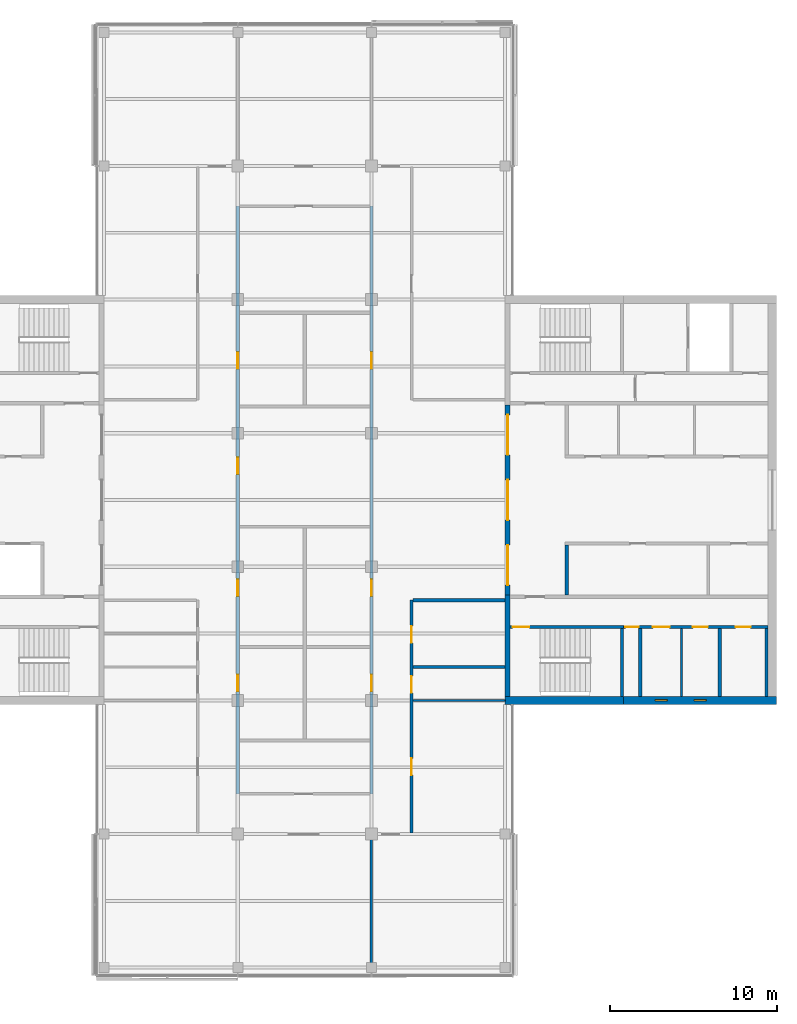
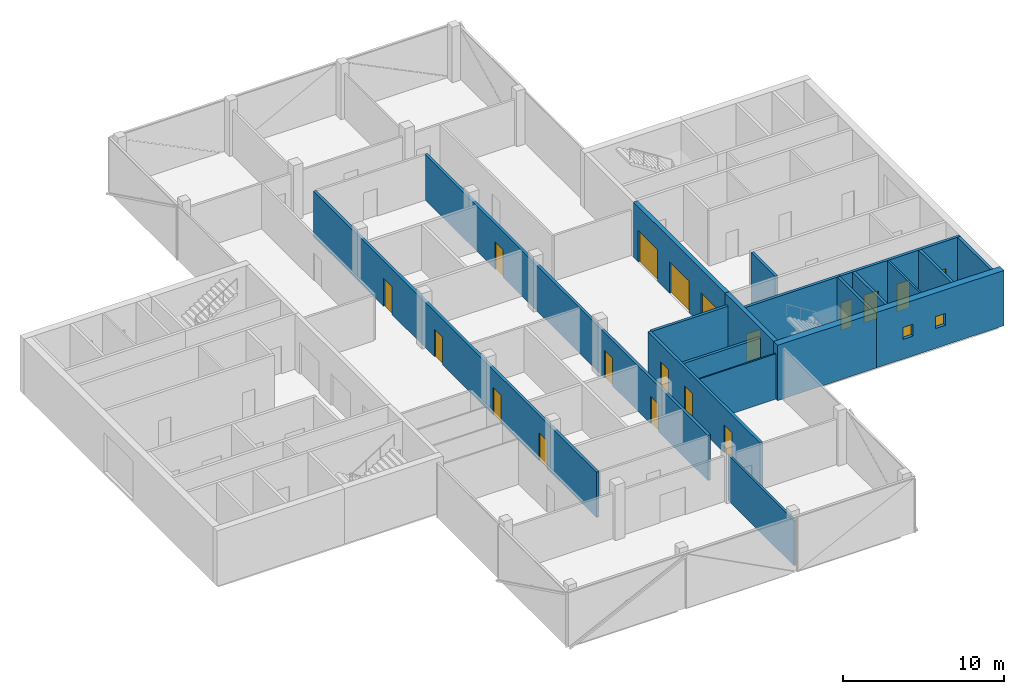
# One storey, part 10 of 16: 19 walls, 18 doors, 2 windows, 20 openings.
"""IFC4 building model written with IfcOpenShell, lengths in metres."""

from ifc_helpers import new_model, si_unit, direction, frame, frame_2d, origin, place, context, subcontext, project, spatial, rectangle, extrude, material, layer, layer_set, constituent, constituent_set, type_object, element, fill, save


model = new_model("IFC4")

# Units and contexts
model_context = context("Model", 3, precision=1e-05, world=origin(), true_north=direction((0.0, 1.0)))
body_context = subcontext(model_context, "Body", "Model", "MODEL_VIEW")
ifc_project = project(units=[si_unit("LENGTHUNIT", "METRE"), si_unit("AREAUNIT", "SQUARE_METRE"), si_unit("VOLUMEUNIT", "CUBIC_METRE"), si_unit("PLANEANGLEUNIT", "RADIAN"), si_unit("MASSUNIT", "GRAM", prefix="KILO")], contexts=[model_context])

# Site, building, storey
site_placement = place(None, origin())
site = spatial("IfcSite", under=ifc_project, at=site_placement, CompositionType="ELEMENT")
building_placement = place(site_placement, origin())
building = spatial("IfcBuilding", under=site, at=building_placement, Name="Crosswind Convention Tower", CompositionType="ELEMENT")
storey_placement = place(building_placement, frame((0.0, 0.0, 282.89990234375)))
storey = spatial("IfcBuildingStorey", under=building, at=storey_placement, Name="L61", CompositionType="ELEMENT", Elevation=282.89990234375)

# Wall
ifc_material_1 = material(Name="Concrete blockwork", Category="masonry")
ifc_layer_1 = layer(ifc_material_1, 0.199951171875)
ifc_layer_set_1 = layer_set([ifc_layer_1], Name="Blockwork partition wall 200")
wall_type_1 = type_object("IfcWallType", Name="Blockwork partition wall 200", PredefinedType="PARTITIONING", material=ifc_layer_set_1)
wall_1_placement = place(storey_placement, frame((145.10009765625, 88.25, 0.0), z_axis=(0.0, 0.0, 1.0), x_axis=(0.0, 1.0, 0.0)))
element("IfcWall", 1, at=wall_1_placement, inside=storey, type_object=wall_type_1, Name="Wall MRSE E L61", PredefinedType="PARTITIONING", context=body_context, shape_type="SweptSolid", body=[
    extrude(rectangle(XDim=4.050048828125, YDim=0.199951171875, at=frame_2d((2.02490234375, 0.0))), origin(), (0.0, 0.0, 1.0), 4.2001953125),
])

# Wall, openings, doors
ifc_layer_2 = layer(ifc_material_1, 0.199951171875)
ifc_layer_set_2 = layer_set([ifc_layer_2], Name="COMPARTMENT WALL 200 BLOCKWORK")
wall_type_2 = type_object("IfcWallType", Name="COMPARTMENT WALL 200 BLOCKWORK", PredefinedType="SOLIDWALL", material=ifc_layer_set_2)
wall_2_placement = place(storey_placement, frame((121.0, 82.39990234375, 0.0), z_axis=(0.0, 0.0, 1.0), x_axis=(0.0, 1.0, 0.0)))
wall_2 = element("IfcWall", 2, at=wall_2_placement, inside=storey, type_object=wall_type_2, Name="Compartment wall WT42", PredefinedType="SOLIDWALL", context=body_context, shape_type="SweptSolid", body=[
    extrude(rectangle(XDim=35.2001953125, YDim=0.199951171875, at=frame_2d((17.60009765625, 0.0))), origin(), (0.0, 0.0, 1.0), 3.44287109375),
])
opening_1_placement = place(wall_2_placement, frame((6.14990234375, 0.0, 0.0)))
opening_1 = element("IfcOpeningElement", 3, at=opening_1_placement, cuts=wall_2, Name="Opening L61-65", PredefinedType="OPENING", context=body_context, shape_type="SweptSolid", body=[
    extrude(rectangle(XDim=1.0, YDim=2.10009765625, at=frame_2d((0.5, 1.050048828125))), frame((0.0, 0.10986328125, 0.0), z_axis=(0.0, -1.0, 0.0), x_axis=(1.0, 0.0, 0.0)), (0.0, 0.0, 1.0), 0.219970703125),
])
opening_2_placement = place(wall_2_placement, frame((11.85009765625, 0.0, 0.0)))
opening_2 = element("IfcOpeningElement", 4, at=opening_2_placement, cuts=wall_2, Name="Opening L61-67", PredefinedType="OPENING", context=body_context, shape_type="SweptSolid", body=[
    extrude(rectangle(XDim=1.0, YDim=2.10009765625, at=frame_2d((0.5, 1.050048828125))), frame((0.0, 0.10986328125, 0.0), z_axis=(0.0, -1.0, 0.0), x_axis=(1.0, 0.0, 0.0)), (0.0, 0.0, 1.0), 0.219970703125),
])
opening_3_placement = place(wall_2_placement, frame((19.14990234375, 0.0, 0.0)))
opening_3 = element("IfcOpeningElement", 5, at=opening_3_placement, cuts=wall_2, Name="Opening L61-69", PredefinedType="OPENING", context=body_context, shape_type="SweptSolid", body=[
    extrude(rectangle(XDim=1.0, YDim=2.10009765625, at=frame_2d((0.5, 1.050048828125))), frame((0.0, 0.10986328125, 0.0), z_axis=(0.0, -1.0, 0.0), x_axis=(1.0, 0.0, 0.0)), (0.0, 0.0, 1.0), 0.219970703125),
])
opening_4_placement = place(wall_2_placement, frame((25.449951171875, 0.0, 0.0)))
opening_4 = element("IfcOpeningElement", 6, at=opening_4_placement, cuts=wall_2, Name="Opening L61-70", PredefinedType="OPENING", context=body_context, shape_type="SweptSolid", body=[
    extrude(rectangle(XDim=1.0, YDim=2.10009765625, at=frame_2d((0.5, 1.050048828125))), frame((0.0, 0.10986328125, 0.0), z_axis=(0.0, -1.0, 0.0), x_axis=(1.0, 0.0, 0.0)), (0.0, 0.0, 1.0), 0.219970703125),
])
ifc_material_2 = material(Name="Steel fire door", Category="steel")
door_type_1 = type_object("IfcDoorType", Name="PLANT ROOM DOOR 1000X2100 FD60", OperationType="NOTDEFINED", PredefinedType="DOOR", material=ifc_material_2)
door_1_placement = place(opening_4_placement, frame((1.0, 0.0, 0.0), z_axis=(0.0, 0.0, 1.0), x_axis=(-1.0, 0.0, 0.0)))
door_1 = element("IfcDoor", 7, at=door_1_placement, inside=storey, type_object=door_type_1, Name="Door L61-70", ObjectType="D43", OperationType="SINGLE_SWING_RIGHT", OverallHeight=2.10009765625, OverallWidth=1.0, PredefinedType="DOOR", context=body_context, shape_type="SweptSolid", body=[
    extrude(rectangle(XDim=1.0, YDim=2.10009765625, at=frame_2d((0.5, 1.050048828125))), frame((0.0, 0.02490234375, 0.0), z_axis=(0.0, -1.0, 0.0), x_axis=(1.0, 0.0, 0.0)), (0.0, 0.0, 1.0), 0.050048828125),
])
fill(opening_4, door_1)
ifc_material_3 = material(Name="Timber fire door", Category="wood")
door_type_2 = type_object("IfcDoorType", Name="TENANCY ENTRANCE DOOR 1000X2100 FD30S", OperationType="NOTDEFINED", PredefinedType="DOOR", material=ifc_material_3)
door_2_placement = place(opening_1_placement, frame((1.0, 0.0, 0.0), z_axis=(0.0, 0.0, 1.0), x_axis=(-1.0, 0.0, 0.0)))
door_2 = element("IfcDoor", 8, at=door_2_placement, inside=storey, type_object=door_type_2, Name="Door L61-65", ObjectType="D41", OperationType="SINGLE_SWING_RIGHT", OverallHeight=2.10009765625, OverallWidth=1.0, PredefinedType="DOOR", context=body_context, shape_type="SweptSolid", body=[
    extrude(rectangle(XDim=1.0, YDim=2.10009765625, at=frame_2d((0.5, 1.050048828125))), frame((0.0, 0.02490234375, 0.0), z_axis=(0.0, -1.0, 0.0), x_axis=(1.0, 0.0, 0.0)), (0.0, 0.0, 1.0), 0.050048828125),
])
fill(opening_1, door_2)
door_3_placement = place(opening_2_placement, frame((1.0, 0.0, 0.0), z_axis=(0.0, 0.0, 1.0), x_axis=(-1.0, 0.0, 0.0)))
door_3 = element("IfcDoor", 9, at=door_3_placement, inside=storey, type_object=door_type_2, Name="Door L61-67", ObjectType="D41", OperationType="SINGLE_SWING_LEFT", OverallHeight=2.10009765625, OverallWidth=1.0, PredefinedType="DOOR", context=body_context, shape_type="SweptSolid", body=[
    extrude(rectangle(XDim=1.0, YDim=2.10009765625, at=frame_2d((0.5, 1.050048828125))), frame((0.0, 0.02490234375, 0.0), z_axis=(0.0, -1.0, 0.0), x_axis=(1.0, 0.0, 0.0)), (0.0, 0.0, 1.0), 0.050048828125),
])
fill(opening_2, door_3)
door_4_placement = place(opening_3_placement, frame((1.0, 0.0, 0.0), z_axis=(0.0, 0.0, 1.0), x_axis=(-1.0, 0.0, 0.0)))
door_4 = element("IfcDoor", 10, at=door_4_placement, inside=storey, type_object=door_type_2, Name="Door L61-69", ObjectType="D41", OperationType="SINGLE_SWING_LEFT", OverallHeight=2.10009765625, OverallWidth=1.0, PredefinedType="DOOR", context=body_context, shape_type="SweptSolid", body=[
    extrude(rectangle(XDim=1.0, YDim=2.10009765625, at=frame_2d((0.5, 1.050048828125))), frame((0.0, 0.02490234375, 0.0), z_axis=(0.0, -1.0, 0.0), x_axis=(1.0, 0.0, 0.0)), (0.0, 0.0, 1.0), 0.050048828125),
])
fill(opening_3, door_4)

wall_3_placement = place(storey_placement, frame((129.0, 82.39990234375, 0.0), z_axis=(0.0, 0.0, 1.0), x_axis=(0.0, 1.0, 0.0)))
wall_3 = element("IfcWall", 11, at=wall_3_placement, inside=storey, type_object=wall_type_2, Name="Compartment wall WT42", PredefinedType="SOLIDWALL", context=body_context, shape_type="SweptSolid", body=[
    extrude(rectangle(XDim=35.2001953125, YDim=0.199951171875, at=frame_2d((17.60009765625, 0.0))), origin(), (0.0, 0.0, 1.0), 3.44287109375),
])
opening_5_placement = place(wall_3_placement, frame((6.14990234375, 0.0, 0.0)))
opening_5 = element("IfcOpeningElement", 12, at=opening_5_placement, cuts=wall_3, Name="Opening L61-66", PredefinedType="OPENING", context=body_context, shape_type="SweptSolid", body=[
    extrude(rectangle(XDim=1.0, YDim=2.10009765625, at=frame_2d((0.5, 1.050048828125))), frame((0.0, 0.10986328125, 0.0), z_axis=(0.0, -1.0, 0.0), x_axis=(1.0, 0.0, 0.0)), (0.0, 0.0, 1.0), 0.219970703125),
])
opening_6_placement = place(wall_3_placement, frame((11.85009765625, 0.0, 0.0)))
opening_6 = element("IfcOpeningElement", 13, at=opening_6_placement, cuts=wall_3, Name="Opening L61-68", PredefinedType="OPENING", context=body_context, shape_type="SweptSolid", body=[
    extrude(rectangle(XDim=1.0, YDim=2.10009765625, at=frame_2d((0.5, 1.050048828125))), frame((0.0, 0.10986328125, 0.0), z_axis=(0.0, -1.0, 0.0), x_axis=(1.0, 0.0, 0.0)), (0.0, 0.0, 1.0), 0.219970703125),
])
opening_7_placement = place(wall_3_placement, frame((25.449951171875, 0.0, 0.0)))
opening_7 = element("IfcOpeningElement", 14, at=opening_7_placement, cuts=wall_3, Name="Opening L61-71", PredefinedType="OPENING", context=body_context, shape_type="SweptSolid", body=[
    extrude(rectangle(XDim=1.0, YDim=2.10009765625, at=frame_2d((0.5, 1.050048828125))), frame((0.0, 0.10986328125, 0.0), z_axis=(0.0, -1.0, 0.0), x_axis=(1.0, 0.0, 0.0)), (0.0, 0.0, 1.0), 0.219970703125),
])
door_5_placement = place(opening_5_placement, origin())
door_5 = element("IfcDoor", 15, at=door_5_placement, inside=storey, type_object=door_type_1, Name="Door L61-66", ObjectType="D43", OperationType="SINGLE_SWING_LEFT", OverallHeight=2.10009765625, OverallWidth=1.0, PredefinedType="DOOR", context=body_context, shape_type="SweptSolid", body=[
    extrude(rectangle(XDim=1.0, YDim=2.10009765625, at=frame_2d((0.5, 1.050048828125))), frame((0.0, 0.02490234375, 0.0), z_axis=(0.0, -1.0, 0.0), x_axis=(1.0, 0.0, 0.0)), (0.0, 0.0, 1.0), 0.050048828125),
])
fill(opening_5, door_5)
door_6_placement = place(opening_6_placement, origin())
door_6 = element("IfcDoor", 16, at=door_6_placement, inside=storey, type_object=door_type_2, Name="Door L61-68", ObjectType="D41", OperationType="SINGLE_SWING_RIGHT", OverallHeight=2.10009765625, OverallWidth=1.0, PredefinedType="DOOR", context=body_context, shape_type="SweptSolid", body=[
    extrude(rectangle(XDim=1.0, YDim=2.10009765625, at=frame_2d((0.5, 1.050048828125))), frame((0.0, 0.02490234375, 0.0), z_axis=(0.0, -1.0, 0.0), x_axis=(1.0, 0.0, 0.0)), (0.0, 0.0, 1.0), 0.050048828125),
])
fill(opening_6, door_6)
door_7_placement = place(opening_7_placement, origin())
door_7 = element("IfcDoor", 17, at=door_7_placement, inside=storey, type_object=door_type_2, Name="Door L61-71", ObjectType="D41", OperationType="SINGLE_SWING_LEFT", OverallHeight=2.10009765625, OverallWidth=1.0, PredefinedType="DOOR", context=body_context, shape_type="SweptSolid", body=[
    extrude(rectangle(XDim=1.0, YDim=2.10009765625, at=frame_2d((0.5, 1.050048828125))), frame((0.0, 0.02490234375, 0.0), z_axis=(0.0, -1.0, 0.0), x_axis=(1.0, 0.0, 0.0)), (0.0, 0.0, 1.0), 0.050048828125),
])
fill(opening_7, door_7)

wall_4_placement = place(storey_placement, frame((131.39990234375, 80.074951171875, 0.0), z_axis=(0.0, 0.0, 1.0), x_axis=(0.0, 1.0, 0.0)))
wall_4 = element("IfcWall", 18, at=wall_4_placement, inside=storey, type_object=wall_type_2, Name="Compartment wall WT42", PredefinedType="SOLIDWALL", context=body_context, shape_type="SweptSolid", body=[
    extrude(rectangle(XDim=13.925048828125, YDim=0.199951171875, at=frame_2d((6.96240234375, 0.0))), origin(), (0.0, 0.0, 1.0), 3.44287109375),
])
opening_8_placement = place(wall_4_placement, frame((11.375, 0.0, 0.0)))
opening_8 = element("IfcOpeningElement", 19, at=opening_8_placement, cuts=wall_4, Name="Opening L61-51", PredefinedType="OPENING", context=body_context, shape_type="SweptSolid", body=[
    extrude(rectangle(XDim=1.0, YDim=2.10009765625, at=frame_2d((0.5, 1.050048828125))), frame((0.0, 0.10986328125, 0.0), z_axis=(0.0, -1.0, 0.0), x_axis=(1.0, 0.0, 0.0)), (0.0, 0.0, 1.0), 0.219970703125),
])
opening_9_placement = place(wall_4_placement, frame((8.375, 0.0, 0.0)))
opening_9 = element("IfcOpeningElement", 20, at=opening_9_placement, cuts=wall_4, Name="Opening L61-52", PredefinedType="OPENING", context=body_context, shape_type="SweptSolid", body=[
    extrude(rectangle(XDim=1.0, YDim=2.10009765625, at=frame_2d((0.5, 1.050048828125))), frame((0.0, 0.10986328125, 0.0), z_axis=(0.0, -1.0, 0.0), x_axis=(1.0, 0.0, 0.0)), (0.0, 0.0, 1.0), 0.219970703125),
])
opening_10_placement = place(wall_4_placement, frame((3.449951171875, 0.0, 0.0)))
opening_10 = element("IfcOpeningElement", 21, at=opening_10_placement, cuts=wall_4, Name="Opening L61-53", PredefinedType="OPENING", context=body_context, shape_type="SweptSolid", body=[
    extrude(rectangle(XDim=1.0, YDim=2.10009765625, at=frame_2d((0.5, 1.050048828125))), frame((0.0, 0.10986328125, 0.0), z_axis=(0.0, -1.0, 0.0), x_axis=(1.0, 0.0, 0.0)), (0.0, 0.0, 1.0), 0.219970703125),
])
door_8_placement = place(opening_8_placement, frame((1.0, 0.0, 0.0), z_axis=(0.0, 0.0, 1.0), x_axis=(-1.0, 0.0, 0.0)))
door_8 = element("IfcDoor", 22, at=door_8_placement, inside=storey, type_object=door_type_1, Name="Door L61-51", ObjectType="D43", OperationType="SINGLE_SWING_RIGHT", OverallHeight=2.10009765625, OverallWidth=1.0, PredefinedType="DOOR", context=body_context, shape_type="SweptSolid", body=[
    extrude(rectangle(XDim=1.0, YDim=2.10009765625, at=frame_2d((0.5, 1.050048828125))), frame((0.0, 0.02490234375, 0.0), z_axis=(0.0, -1.0, 0.0), x_axis=(1.0, 0.0, 0.0)), (0.0, 0.0, 1.0), 0.050048828125),
])
fill(opening_8, door_8)
door_9_placement = place(opening_9_placement, frame((1.0, 0.0, 0.0), z_axis=(0.0, 0.0, 1.0), x_axis=(-1.0, 0.0, 0.0)))
door_9 = element("IfcDoor", 23, at=door_9_placement, inside=storey, type_object=door_type_2, Name="Door L61-52", ObjectType="D41", OperationType="SINGLE_SWING_LEFT", OverallHeight=2.10009765625, OverallWidth=1.0, PredefinedType="DOOR", context=body_context, shape_type="SweptSolid", body=[
    extrude(rectangle(XDim=1.0, YDim=2.10009765625, at=frame_2d((0.5, 1.050048828125))), frame((0.0, 0.02490234375, 0.0), z_axis=(0.0, -1.0, 0.0), x_axis=(1.0, 0.0, 0.0)), (0.0, 0.0, 1.0), 0.050048828125),
])
fill(opening_9, door_9)
door_10_placement = place(opening_10_placement, frame((1.0, 0.0, 0.0), z_axis=(0.0, 0.0, 1.0), x_axis=(-1.0, 0.0, 0.0)))
door_10 = element("IfcDoor", 24, at=door_10_placement, inside=storey, type_object=door_type_2, Name="Door L61-53", ObjectType="D41", OperationType="SINGLE_SWING_LEFT", OverallHeight=2.10009765625, OverallWidth=1.0, PredefinedType="DOOR", context=body_context, shape_type="SweptSolid", body=[
    extrude(rectangle(XDim=1.0, YDim=2.10009765625, at=frame_2d((0.5, 1.050048828125))), frame((0.0, 0.02490234375, 0.0), z_axis=(0.0, -1.0, 0.0), x_axis=(1.0, 0.0, 0.0)), (0.0, 0.0, 1.0), 0.050048828125),
])
fill(opening_10, door_10)

# Walls
for number, where, z_axis, x_axis, name in (
    (25, (131.5, 90.0, 0.0), (0.0, 0.0, 1.0), (1.0, 0.0, 0.0), "Compartment wall WT42"),
    (26, (131.5, 94.0, 0.0), (0.0, 0.0, 1.0), (1.0, 0.0, 0.0), "Compartment wall WT42"),
):
    element("IfcWall", number, at=place(storey_placement, frame(where, z_axis=z_axis, x_axis=x_axis)), inside=storey, type_object=wall_type_2, Name=name, PredefinedType="SOLIDWALL", context=body_context, shape_type="SweptSolid", body=[
        extrude(rectangle(XDim=5.5, YDim=0.199951171875, at=frame_2d((2.75, 0.0))), origin(), (0.0, 0.0, 1.0), 3.44287109375),
    ])

# Wall, openings, doors
ifc_material_4 = material(Name="Concrete C50/60", Category="concrete")
ifc_layer_3 = layer(ifc_material_4, 0.300048828125)
ifc_layer_set_3 = layer_set([ifc_layer_3], Name="Concrete C50/60")
wall_type_3 = type_object("IfcWallType", Name="Concrete inner core wall 300", PredefinedType="SHEAR", material=ifc_layer_set_3)
wall_5_placement = place(storey_placement, frame((137.14990234375, 94.300048828125, 0.0), z_axis=(0.0, 0.0, 1.0), x_axis=(0.0, 1.0, 0.0)))
wall_5 = element("IfcWall", 27, at=wall_5_placement, inside=storey, type_object=wall_type_3, Name="Wall SCR E L61", PredefinedType="SHEAR", context=body_context, shape_type="SweptSolid", body=[
    extrude(rectangle(XDim=11.39990234375, YDim=0.300048828125, at=frame_2d((5.699951171875, 0.0))), origin(), (0.0, 0.0, 1.0), 4.2001953125),
])
opening_11_placement = place(wall_5_placement, frame((0.60009765625, 0.0, 0.0)))
opening_11 = element("IfcOpeningElement", 28, at=opening_11_placement, cuts=wall_5, Name="Opening D100", PredefinedType="OPENING", context=body_context, shape_type="SweptSolid", body=[
    extrude(rectangle(XDim=2.39990234375, YDim=2.39990234375, at=frame_2d((1.199951171875, 1.199951171875))), frame((0.0, 0.159912109375, 0.0), z_axis=(0.0, -1.0, 0.0), x_axis=(1.0, 0.0, 0.0)), (0.0, 0.0, 1.0), 0.320068359375),
])
opening_12_placement = place(wall_5_placement, frame((4.5, 0.0, 0.0)))
opening_12 = element("IfcOpeningElement", 29, at=opening_12_placement, cuts=wall_5, Name="Opening D100", PredefinedType="OPENING", context=body_context, shape_type="SweptSolid", body=[
    extrude(rectangle(XDim=2.39990234375, YDim=2.39990234375, at=frame_2d((1.199951171875, 1.199951171875))), frame((0.0, 0.159912109375, 0.0), z_axis=(0.0, -1.0, 0.0), x_axis=(1.0, 0.0, 0.0)), (0.0, 0.0, 1.0), 0.320068359375),
])
opening_13_placement = place(wall_5_placement, frame((8.39990234375, 0.0, 0.0)))
opening_13 = element("IfcOpeningElement", 30, at=opening_13_placement, cuts=wall_5, Name="Opening D100", PredefinedType="OPENING", context=body_context, shape_type="SweptSolid", body=[
    extrude(rectangle(XDim=2.39990234375, YDim=2.39990234375, at=frame_2d((1.199951171875, 1.199951171875))), frame((0.0, 0.159912109375, 0.0), z_axis=(0.0, -1.0, 0.0), x_axis=(1.0, 0.0, 0.0)), (0.0, 0.0, 1.0), 0.320068359375),
])
ifc_material_5 = material(Name="Steel fire door with glazed vision panels", Category="steel")
door_type_3 = type_object("IfcDoorType", Name="Fire-rated double door 2400x2400", OperationType="DOUBLE_DOOR_SINGLE_SWING", PredefinedType="DOOR", material=ifc_material_5)
door_11_placement = place(opening_11_placement, origin())
door_11 = element("IfcDoor", 31, at=door_11_placement, inside=storey, type_object=door_type_3, Name="Lobby door 1 L61", ObjectType="D100", OperationType="DOUBLE_DOOR_SINGLE_SWING", OverallHeight=2.39990234375, OverallWidth=2.39990234375, PredefinedType="DOOR", context=body_context, shape_type="SweptSolid", body=[
    extrude(rectangle(XDim=2.39990234375, YDim=2.39990234375, at=frame_2d((1.199951171875, 1.199951171875))), frame((0.0, 0.02490234375, 0.0), z_axis=(0.0, -1.0, 0.0), x_axis=(1.0, 0.0, 0.0)), (0.0, 0.0, 1.0), 0.050048828125),
])
fill(opening_11, door_11)
door_12_placement = place(opening_12_placement, origin())
door_12 = element("IfcDoor", 32, at=door_12_placement, inside=storey, type_object=door_type_3, Name="Lobby door 2 L61", ObjectType="D100", OperationType="DOUBLE_DOOR_SINGLE_SWING", OverallHeight=2.39990234375, OverallWidth=2.39990234375, PredefinedType="DOOR", context=body_context, shape_type="SweptSolid", body=[
    extrude(rectangle(XDim=2.39990234375, YDim=2.39990234375, at=frame_2d((1.199951171875, 1.199951171875))), frame((0.0, 0.02490234375, 0.0), z_axis=(0.0, -1.0, 0.0), x_axis=(1.0, 0.0, 0.0)), (0.0, 0.0, 1.0), 0.050048828125),
])
fill(opening_12, door_12)
door_13_placement = place(opening_13_placement, origin())
door_13 = element("IfcDoor", 33, at=door_13_placement, inside=storey, type_object=door_type_3, Name="Lobby door 3 L61", ObjectType="D100", OperationType="DOUBLE_DOOR_SINGLE_SWING", OverallHeight=2.39990234375, OverallWidth=2.39990234375, PredefinedType="DOOR", context=body_context, shape_type="SweptSolid", body=[
    extrude(rectangle(XDim=2.39990234375, YDim=2.39990234375, at=frame_2d((1.199951171875, 1.199951171875))), frame((0.0, 0.02490234375, 0.0), z_axis=(0.0, -1.0, 0.0), x_axis=(1.0, 0.0, 0.0)), (0.0, 0.0, 1.0), 0.050048828125),
])
fill(opening_13, door_13)

# Walls
wall_6_placement = place(storey_placement, frame((137.14990234375, 88.25, 0.0), z_axis=(0.0, 0.0, 1.0), x_axis=(0.0, 1.0, 0.0)))
element("IfcWall", 34, at=wall_6_placement, inside=storey, type_object=wall_type_3, Name="Wall EM E L61", PredefinedType="SHEAR", context=body_context, shape_type="SweptSolid", body=[
    extrude(rectangle(XDim=6.050048828125, YDim=0.300048828125, at=frame_2d((3.02490234375, 0.0))), origin(), (0.0, 0.0, 1.0), 4.2001953125),
])
ifc_layer_4 = layer(ifc_material_4, 0.199951171875)
ifc_layer_set_4 = layer_set([ifc_layer_4], Name="Concrete C50/60")
wall_type_4 = type_object("IfcWallType", Name="Concrete shaft and stair wall 200", PredefinedType="SHEAR", material=ifc_layer_set_4)
wall_7_placement = place(storey_placement, frame((140.699951171875, 94.300048828125, 0.0), z_axis=(0.0, 0.0, 1.0), x_axis=(0.0, 1.0, 0.0)))
element("IfcWall", 35, at=wall_7_placement, inside=storey, type_object=wall_type_4, Name="Wall RMEND E L61", PredefinedType="SHEAR", context=body_context, shape_type="SweptSolid", body=[
    extrude(rectangle(XDim=3.0, YDim=0.199951171875, at=frame_2d((1.5, 0.0))), origin(), (0.0, 0.0, 1.0), 4.2001953125),
])
for number, where, z_axis, x_axis, name in (
    (36, (144.0, 88.25, 0.0), (0.0, 0.0, 1.0), (0.0, 1.0, 0.0), "Wall MSE E L61"),
    (37, (149.85009765625, 88.25, 0.0), (0.0, 0.0, 1.0), (0.0, 1.0, 0.0), "Wall MFSW E L61"),
    (38, (152.64990234375, 88.25, 0.0), (0.0, 0.0, 1.0), (0.0, 1.0, 0.0), "Wall MFSE E L61"),
):
    element("IfcWall", number, at=place(storey_placement, frame(where, z_axis=z_axis, x_axis=x_axis)), inside=storey, type_object=wall_type_4, Name=name, PredefinedType="SHEAR", context=body_context, shape_type="SweptSolid", body=[
        extrude(rectangle(XDim=4.050048828125, YDim=0.199951171875, at=frame_2d((2.02490234375, 0.0))), origin(), (0.0, 0.0, 1.0), 4.2001953125),
    ])

# Wall, opening, door
wall_8_placement = place(storey_placement, frame((137.300048828125, 92.39990234375, 0.0), z_axis=(0.0, 0.0, 1.0), x_axis=(1.0, 0.0, 0.0)))
wall_8 = element("IfcWall", 39, at=wall_8_placement, inside=storey, type_object=wall_type_4, Name="Wall MCW E L61", PredefinedType="SHEAR", context=body_context, shape_type="SweptSolid", body=[
    extrude(rectangle(XDim=6.800048828125, YDim=0.199951171875, at=frame_2d((3.39990234375, 0.0))), origin(), (0.0, 0.0, 1.0), 4.2001953125),
])
opening_14_placement = place(wall_8_placement, frame((0.14990234375, 0.0, 0.0)))
opening_14 = element("IfcOpeningElement", 40, at=opening_14_placement, cuts=wall_8, Name="Opening D103", PredefinedType="OPENING", context=body_context, shape_type="SweptSolid", body=[
    extrude(rectangle(XDim=1.0, YDim=2.10009765625, at=frame_2d((0.5, 1.050048828125))), frame((0.0, 0.10986328125, 0.0), z_axis=(0.0, -1.0, 0.0), x_axis=(1.0, 0.0, 0.0)), (0.0, 0.0, 1.0), 0.219970703125),
])
door_type_4 = type_object("IfcDoorType", Name="Fire-rated single door 1000x2100", OperationType="NOTDEFINED", PredefinedType="DOOR", material=ifc_material_2)
door_14_placement = place(opening_14_placement, frame((1.0, 0.0, 0.0), z_axis=(0.0, 0.0, 1.0), x_axis=(-1.0, 0.0, 0.0)))
door_14 = element("IfcDoor", 41, at=door_14_placement, inside=storey, type_object=door_type_4, Name="Stair ST2 door L61", ObjectType="D103", OperationType="SINGLE_SWING_RIGHT", OverallHeight=2.10009765625, OverallWidth=1.0, PredefinedType="DOOR", context=body_context, shape_type="SweptSolid", body=[
    extrude(rectangle(XDim=1.0, YDim=2.10009765625, at=frame_2d((0.5, 1.050048828125))), frame((0.0, 0.02490234375, 0.0), z_axis=(0.0, -1.0, 0.0), x_axis=(1.0, 0.0, 0.0)), (0.0, 0.0, 1.0), 0.050048828125),
])
fill(opening_14, door_14)

# Wall, openings, doors
wall_9_placement = place(storey_placement, frame((144.10009765625, 92.39990234375, 0.0), z_axis=(0.0, 0.0, 1.0), x_axis=(1.0, 0.0, 0.0)))
wall_9 = element("IfcWall", 42, at=wall_9_placement, inside=storey, type_object=wall_type_4, Name="Wall MCX E L61", PredefinedType="SHEAR", context=body_context, shape_type="SweptSolid", body=[
    extrude(rectangle(XDim=8.64990234375, YDim=0.199951171875, at=frame_2d((4.324951171875, 0.0))), origin(), (0.0, 0.0, 1.0), 4.2001953125),
])
opening_15_placement = place(wall_9_placement, frame((0.10009765625, 0.0, 0.0)))
opening_15 = element("IfcOpeningElement", 43, at=opening_15_placement, cuts=wall_9, Name="Opening D105", PredefinedType="OPENING", context=body_context, shape_type="SweptSolid", body=[
    extrude(rectangle(XDim=0.800048828125, YDim=2.10009765625, at=frame_2d((0.39990234375, 1.050048828125))), frame((0.0, 0.10986328125, 0.0), z_axis=(0.0, -1.0, 0.0), x_axis=(1.0, 0.0, 0.0)), (0.0, 0.0, 1.0), 0.219970703125),
])
opening_16_placement = place(wall_9_placement, frame((1.751708984375, 0.0, 0.0)))
opening_16 = element("IfcOpeningElement", 44, at=opening_16_placement, cuts=wall_9, Name="Opening D103", PredefinedType="OPENING", context=body_context, shape_type="SweptSolid", body=[
    extrude(rectangle(XDim=1.0, YDim=2.10009765625, at=frame_2d((0.5, 1.050048828125))), frame((0.0, 0.10986328125, 0.0), z_axis=(0.0, -1.0, 0.0), x_axis=(1.0, 0.0, 0.0)), (0.0, 0.0, 1.0), 0.219970703125),
])
opening_17_placement = place(wall_9_placement, frame((4.13916015625, 0.0, 0.0)))
opening_17 = element("IfcOpeningElement", 45, at=opening_17_placement, cuts=wall_9, Name="Opening D106", PredefinedType="OPENING", context=body_context, shape_type="SweptSolid", body=[
    extrude(rectangle(XDim=0.89990234375, YDim=2.10009765625, at=frame_2d((0.449951171875, 1.050048828125))), frame((0.0, 0.10986328125, 0.0), z_axis=(0.0, -1.0, 0.0), x_axis=(1.0, 0.0, 0.0)), (0.0, 0.0, 1.0), 0.219970703125),
])
opening_18_placement = place(wall_9_placement, frame((6.699951171875, 0.0, 0.0)))
opening_18 = element("IfcOpeningElement", 46, at=opening_18_placement, cuts=wall_9, Name="Opening D106", PredefinedType="OPENING", context=body_context, shape_type="SweptSolid", body=[
    extrude(rectangle(XDim=0.89990234375, YDim=2.10009765625, at=frame_2d((0.449951171875, 1.050048828125))), frame((0.0, 0.10986328125, 0.0), z_axis=(0.0, -1.0, 0.0), x_axis=(1.0, 0.0, 0.0)), (0.0, 0.0, 1.0), 0.219970703125),
])
door_15_placement = place(opening_16_placement, frame((1.0, 0.0, 0.0), z_axis=(0.0, 0.0, 1.0), x_axis=(-1.0, 0.0, 0.0)))
door_15 = element("IfcDoor", 47, at=door_15_placement, inside=storey, type_object=door_type_4, Name="Door to accessible wc L61", ObjectType="D103", OperationType="SINGLE_SWING_LEFT", OverallHeight=2.10009765625, OverallWidth=1.0, PredefinedType="DOOR", context=body_context, shape_type="SweptSolid", body=[
    extrude(rectangle(XDim=1.0, YDim=2.10009765625, at=frame_2d((0.5, 1.050048828125))), frame((0.0, 0.02490234375, 0.0), z_axis=(0.0, -1.0, 0.0), x_axis=(1.0, 0.0, 0.0)), (0.0, 0.0, 1.0), 0.050048828125),
])
fill(opening_16, door_15)
door_type_5 = type_object("IfcDoorType", Name="Riser access door 800x2100", OperationType="NOTDEFINED", PredefinedType="DOOR", material=ifc_material_2)
door_16_placement = place(opening_15_placement, frame((0.800048828125, 0.0, 0.0), z_axis=(0.0, 0.0, 1.0), x_axis=(-1.0, 0.0, 0.0)))
door_16 = element("IfcDoor", 48, at=door_16_placement, inside=storey, type_object=door_type_5, Name="Riser door L61", ObjectType="D105", OperationType="SINGLE_SWING_LEFT", OverallHeight=2.10009765625, OverallWidth=0.800048828125, PredefinedType="DOOR", context=body_context, shape_type="SweptSolid", body=[
    extrude(rectangle(XDim=0.800048828125, YDim=2.10009765625, at=frame_2d((0.39990234375, 1.050048828125))), frame((0.0, 0.02490234375, 0.0), z_axis=(0.0, -1.0, 0.0), x_axis=(1.0, 0.0, 0.0)), (0.0, 0.0, 1.0), 0.050048828125),
])
fill(opening_15, door_16)
ifc_material_6 = material(Name="Timber door", Category="wood")
door_type_6 = type_object("IfcDoorType", Name="Single leaf door 900x2100", OperationType="NOTDEFINED", PredefinedType="DOOR", material=ifc_material_6)
door_17_placement = place(opening_17_placement, frame((0.89990234375, 0.0, 0.0), z_axis=(0.0, 0.0, 1.0), x_axis=(-1.0, 0.0, 0.0)))
door_17 = element("IfcDoor", 49, at=door_17_placement, inside=storey, type_object=door_type_6, Name="Door to wc L61", ObjectType="D106", OperationType="SINGLE_SWING_LEFT", OverallHeight=2.10009765625, OverallWidth=0.89990234375, PredefinedType="DOOR", context=body_context, shape_type="SweptSolid", body=[
    extrude(rectangle(XDim=0.89990234375, YDim=2.10009765625, at=frame_2d((0.449951171875, 1.050048828125))), frame((0.0, 0.02490234375, 0.0), z_axis=(0.0, -1.0, 0.0), x_axis=(1.0, 0.0, 0.0)), (0.0, 0.0, 1.0), 0.050048828125),
])
fill(opening_17, door_17)
door_18_placement = place(opening_18_placement, frame((0.89990234375, 0.0, 0.0), z_axis=(0.0, 0.0, 1.0), x_axis=(-1.0, 0.0, 0.0)))
door_18 = element("IfcDoor", 50, at=door_18_placement, inside=storey, type_object=door_type_6, Name="Door to wc L61", ObjectType="D106", OperationType="SINGLE_SWING_LEFT", OverallHeight=2.10009765625, OverallWidth=0.89990234375, PredefinedType="DOOR", context=body_context, shape_type="SweptSolid", body=[
    extrude(rectangle(XDim=0.89990234375, YDim=2.10009765625, at=frame_2d((0.449951171875, 1.050048828125))), frame((0.0, 0.02490234375, 0.0), z_axis=(0.0, -1.0, 0.0), x_axis=(1.0, 0.0, 0.0)), (0.0, 0.0, 1.0), 0.050048828125),
])
fill(opening_18, door_18)

# Walls
ifc_material_7 = material(Name="Gypsum plasterboard partition", Category="gypsum")
ifc_layer_5 = layer(ifc_material_7, 0.125)
ifc_layer_set_5 = layer_set([ifc_layer_5], Name="Drywall partition wall 125")
wall_type_5 = type_object("IfcWallType", Name="Drywall partition wall 125", PredefinedType="PARTITIONING", material=ifc_layer_set_5)
wall_10_placement = place(storey_placement, frame((147.56591796875, 88.25, 0.0), z_axis=(0.0, 0.0, 1.0), x_axis=(0.0, 1.0, 0.0)))
element("IfcWall", 51, at=wall_10_placement, inside=storey, type_object=wall_type_5, Name="Wall MWP1 E L61", PredefinedType="PARTITIONING", context=body_context, shape_type="SweptSolid", body=[
    extrude(rectangle(XDim=4.050048828125, YDim=0.125, at=frame_2d((2.02490234375, 0.0))), origin(), (0.0, 0.0, 1.0), 4.2001953125),
])
ifc_material_8 = material(Name="Plasterboard partition", Category="gypsum")
ifc_layer_6 = layer(ifc_material_8, 0.10009765625)
ifc_layer_set_6 = layer_set([ifc_layer_6], Name="PARTITION 100 METAL STUD")
wall_type_6 = type_object("IfcWallType", Name="PARTITION 100 METAL STUD", PredefinedType="PARTITIONING", material=ifc_layer_set_6)
wall_11_placement = place(storey_placement, frame((131.5, 88.0, 0.0), z_axis=(0.0, 0.0, 1.0), x_axis=(1.0, 0.0, 0.0)))
element("IfcWall", 52, at=wall_11_placement, inside=storey, type_object=wall_type_6, Name="Partition wall WT40", PredefinedType="PARTITIONING", context=body_context, shape_type="SweptSolid", body=[
    extrude(rectangle(XDim=5.5, YDim=0.10009765625, at=frame_2d((2.75, 0.0))), origin(), (0.0, 0.0, 1.0), 3.44287109375),
])
ifc_material_9 = material(Name="Fire-board partition with mineral wool", Category="gypsum")
ifc_layer_7 = layer(ifc_material_9, 0.14990234375)
ifc_layer_set_7 = layer_set([ifc_layer_7], Name="TENANCY WALL 150 TWO-HOUR BOARD")
wall_type_7 = type_object("IfcWallType", Name="TENANCY WALL 150 TWO-HOUR BOARD", PredefinedType="PARTITIONING", material=ifc_layer_set_7)
wall_12_placement = place(storey_placement, frame((129.0, 71.72998046875, 0.0), z_axis=(0.0, 0.0, 1.0), x_axis=(0.0, 1.0, 0.0)))
element("IfcWall", 53, at=wall_12_placement, inside=storey, type_object=wall_type_7, Name="Tenancy wall WT41", PredefinedType="PARTITIONING", context=body_context, shape_type="SweptSolid", body=[
    extrude(rectangle(XDim=8.195068359375, YDim=0.14990234375, at=frame_2d((4.09765625, 0.0))), origin(), (0.0, 0.0, 1.0), 3.44287109375),
])
ifc_material_10 = material(Name="Concrete C60/75", Category="concrete")
ifc_constituent_1 = constituent(ifc_material_10, Name="Structure")
ifc_material_11 = material(Name="Terracotta rainscreen", Category="ceramic")
ifc_constituent_2 = constituent(ifc_material_11, Name="Facing")
ifc_constituent_set = constituent_set(constituents=[ifc_constituent_1, ifc_constituent_2], Name="Concrete C60/75, Terracotta rainscreen")
wall_type_8 = type_object("IfcWallType", Name="Terracotta rainscreen on concrete core wall 500", PredefinedType="SHEAR", material=ifc_constituent_set)
wall_13_placement = place(storey_placement, frame((137.0, 88.0, 0.0), z_axis=(0.0, 0.0, 1.0), x_axis=(1.0, 0.0, 0.0)))
element("IfcWall", 54, at=wall_13_placement, inside=storey, type_object=wall_type_8, Name="Wall S1 E L61", PredefinedType="SHEAR", context=body_context, shape_type="SweptSolid", body=[
    extrude(rectangle(XDim=7.10009765625, YDim=0.5, at=frame_2d((3.550048828125, 0.0))), origin(), (0.0, 0.0, 1.0), 4.2001953125),
])

# Wall, openings, windows
wall_14_placement = place(storey_placement, frame((144.10009765625, 88.0, 0.0), z_axis=(0.0, 0.0, 1.0), x_axis=(1.0, 0.0, 0.0)))
wall_14 = element("IfcWall", 55, at=wall_14_placement, inside=storey, type_object=wall_type_8, Name="Wall S2 E L61", PredefinedType="SHEAR", context=body_context, shape_type="SweptSolid", body=[
    extrude(rectangle(XDim=9.14990234375, YDim=0.5, at=frame_2d((4.574951171875, 0.0))), origin(), (0.0, 0.0, 1.0), 4.2001953125),
])
opening_19_placement = place(wall_14_placement, frame((1.90185546875, 0.0, 1.5)))
opening_19 = element("IfcOpeningElement", 56, at=opening_19_placement, cuts=wall_14, Name="Opening W2", PredefinedType="OPENING", context=body_context, shape_type="SweptSolid", body=[
    extrude(rectangle(XDim=0.699951171875, YDim=0.89990234375, at=frame_2d((0.35009765625, 0.449951171875))), frame((0.0, 0.260009765625, 0.0), z_axis=(0.0, -1.0, 0.0), x_axis=(1.0, 0.0, 0.0)), (0.0, 0.0, 1.0), 0.52001953125),
])
opening_20_placement = place(wall_14_placement, frame((4.2392578125, 0.0, 1.5)))
opening_20 = element("IfcOpeningElement", 57, at=opening_20_placement, cuts=wall_14, Name="Opening W2", PredefinedType="OPENING", context=body_context, shape_type="SweptSolid", body=[
    extrude(rectangle(XDim=0.699951171875, YDim=0.89990234375, at=frame_2d((0.35009765625, 0.449951171875))), frame((0.0, 0.260009765625, 0.0), z_axis=(0.0, -1.0, 0.0), x_axis=(1.0, 0.0, 0.0)), (0.0, 0.0, 1.0), 0.52001953125),
])
ifc_material_12 = material(Name="Obscure glass in aluminium frame", Category="aluminium")
window_type = type_object("IfcWindowType", Name="WC window 700x900", PartitioningType="SINGLE_PANEL", PredefinedType="WINDOW", material=ifc_material_12)
window_1_placement = place(opening_19_placement, origin())
window_1 = element("IfcWindow", 58, at=window_1_placement, inside=storey, type_object=window_type, Name="WC window L61", ObjectType="W2", OverallHeight=0.89990234375, OverallWidth=0.699951171875, PartitioningType="SINGLE_PANEL", PredefinedType="WINDOW", context=body_context, shape_type="SweptSolid", body=[
    extrude(rectangle(XDim=0.699951171875, YDim=0.89990234375, at=frame_2d((0.35009765625, 0.449951171875))), frame((0.0, 0.030029296875, 0.0), z_axis=(0.0, -1.0, 0.0), x_axis=(1.0, 0.0, 0.0)), (0.0, 0.0, 1.0), 0.06005859375),
])
fill(opening_19, window_1)
window_2_placement = place(opening_20_placement, origin())
window_2 = element("IfcWindow", 59, at=window_2_placement, inside=storey, type_object=window_type, Name="WC window L61", ObjectType="W2", OverallHeight=0.89990234375, OverallWidth=0.699951171875, PartitioningType="SINGLE_PANEL", PredefinedType="WINDOW", context=body_context, shape_type="SweptSolid", body=[
    extrude(rectangle(XDim=0.699951171875, YDim=0.89990234375, at=frame_2d((0.35009765625, 0.449951171875))), frame((0.0, 0.030029296875, 0.0), z_axis=(0.0, -1.0, 0.0), x_axis=(1.0, 0.0, 0.0)), (0.0, 0.0, 1.0), 0.06005859375),
])
fill(opening_20, window_2)

save(model, "model.ifc")
